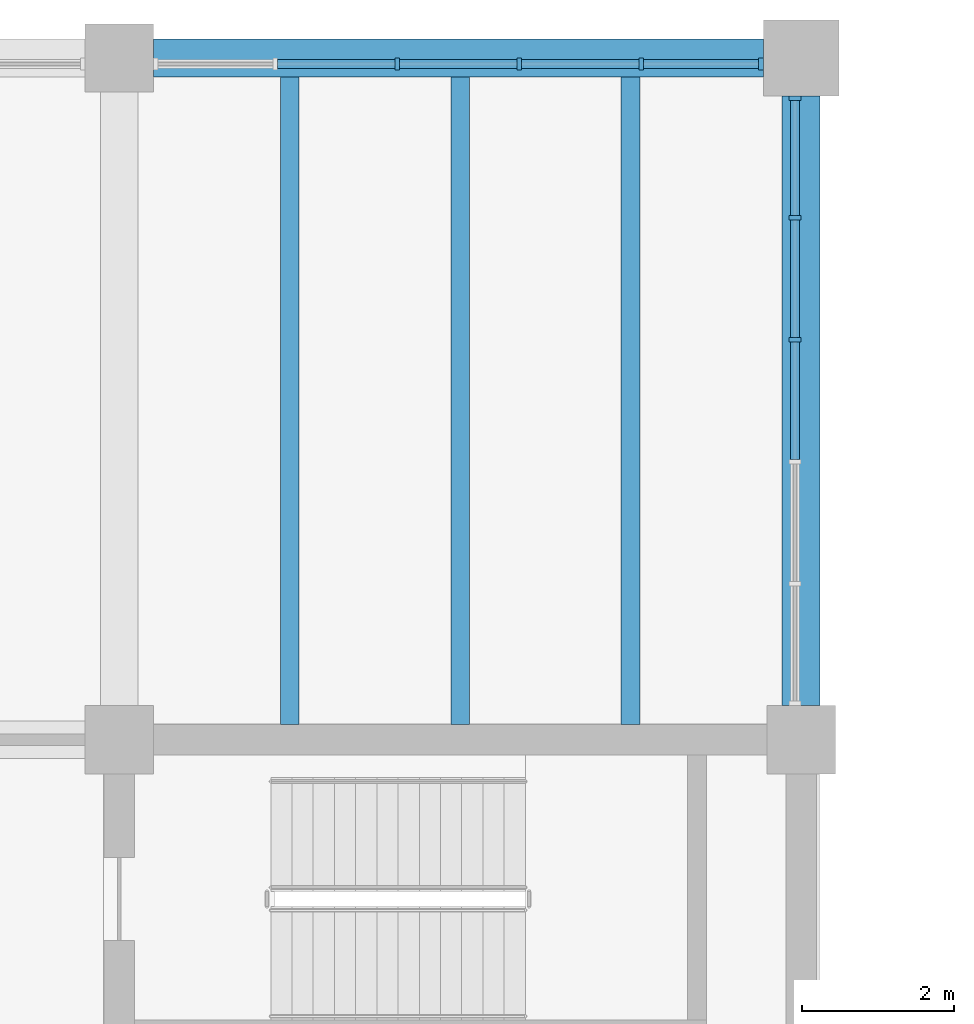
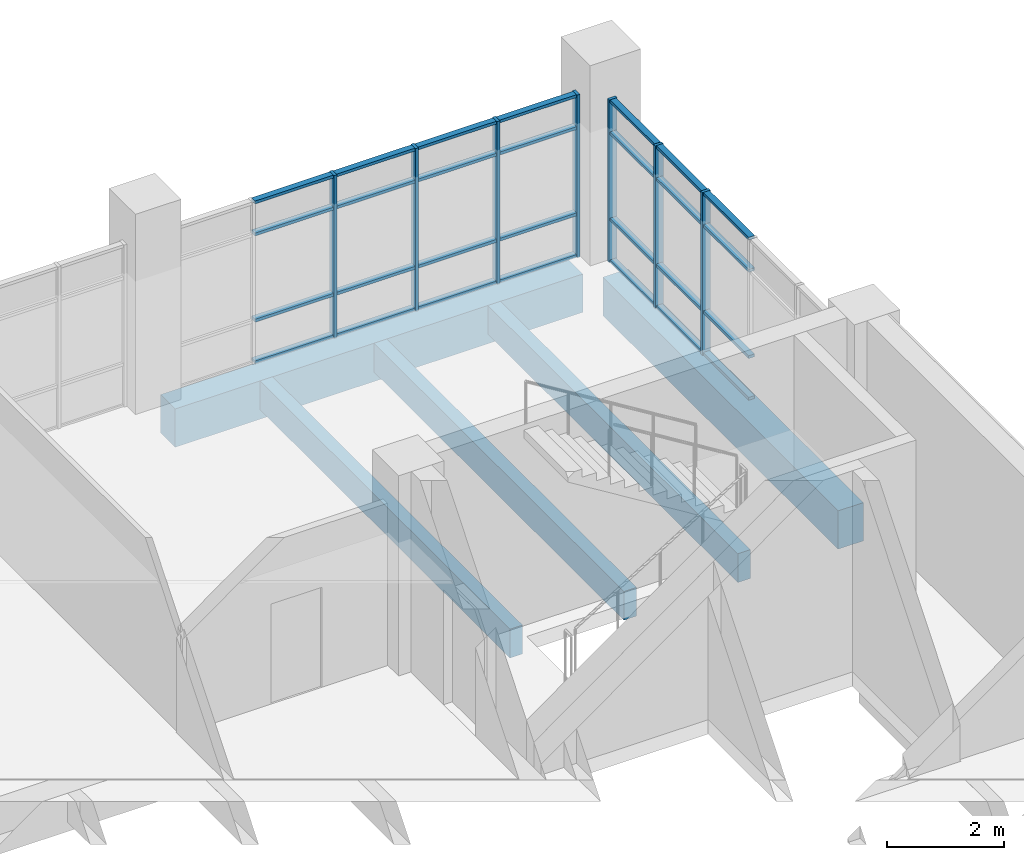
# One storey, part 28 of 74: 35 members, 5 beams, 2 elements without a shape of their own.
"""IFC4 building model written with IfcOpenShell, lengths in metres."""

import ifcopenshell
import ifcopenshell.guid

model = None  # the IFC model being written
_history = None  # IfcOwnerHistory: only IFC2X3 demands one
_inside = {}  # id of a spatial element -> (the spatial element, [elements in it])
_under = {}  # id of a project, library or spatial element -> (it, [spatial elements below it])
_declared = {}  # id of a project -> (the project, [libraries it declares])
_typed = {}  # id of a type object -> (the type object, [elements of that type])
_made_of = {}  # id of a material, layer set ... -> (it, [elements and type objects made of it])


def new_model(schema):
    """Start an empty IFC model of exactly this schema.

    Asked for "IFC4X3", IfcOpenShell would pick the latest addendum, in which some entities
    have other attributes; the version numbers below select the first issue.
    IFC2X3 requires an IfcOwnerHistory on every rooted entity: one is made here for all.
    """
    global model, _history
    if schema == "IFC4X3":
        model = ifcopenshell.file(schema_version=(4, 3, 0, 0))
    else:
        model = ifcopenshell.file(schema=schema)
    _inside.clear()
    _under.clear()
    _declared.clear()
    _typed.clear()
    _made_of.clear()
    _history = None
    if model.schema == "IFC2X3":
        org = make("IfcOrganization", Name="unknown")
        user = make(
            "IfcPersonAndOrganization",
            ThePerson=make("IfcPerson", FamilyName="unknown"),
            TheOrganization=org,
        )
        app = make(
            "IfcApplication",
            ApplicationDeveloper=org,
            Version="unknown",
            ApplicationFullName="unknown",
            ApplicationIdentifier="unknown",
        )
        _history = make(
            "IfcOwnerHistory",
            OwningUser=user,
            OwningApplication=app,
            ChangeAction="ADDED",
            CreationDate=0,
        )
    return model


def make(cls, **values):
    """One entity of the class cls with the attributes given. An attribute that is None is left unset."""
    return model.create_entity(
        cls, **{name: value for name, value in values.items() if value is not None}
    )


def rooted(cls, **values):
    """An entity with a GlobalId (a new one), such as an element, a storey or a relation."""
    return make(cls, GlobalId=ifcopenshell.guid.new(), OwnerHistory=_history, **values)


def si_unit(unit_type, name, prefix=None):
    """IfcSIUnit, for example si_unit("LENGTHUNIT", "METRE", prefix="MILLI")."""
    return make("IfcSIUnit", UnitType=unit_type, Prefix=prefix, Name=name)


def assignment(units):
    """IfcUnitAssignment: the units of a project."""
    return None if units is None else make("IfcUnitAssignment", Units=units)


def point(xyz):
    """IfcCartesianPoint."""
    return None if xyz is None else make("IfcCartesianPoint", Coordinates=xyz)


def direction(xyz):
    """IfcDirection."""
    return None if xyz is None else make("IfcDirection", DirectionRatios=xyz)


def frame(location, z_axis=None, x_axis=None):
    """IfcAxis2Placement3D, a coordinate frame: its origin and axes. An axis left out is left unset."""
    return make(
        "IfcAxis2Placement3D",
        Location=point(location),
        Axis=direction(z_axis),
        RefDirection=direction(x_axis),
    )


def frame_2d(location, x_axis=None):
    """IfcAxis2Placement2D, a coordinate frame in the plane: its origin and x axis."""
    return make(
        "IfcAxis2Placement2D", Location=point(location), RefDirection=direction(x_axis)
    )


def origin():
    """The frame at (0, 0, 0) with its axes left unset."""
    return frame((0.0, 0.0, 0.0))


def origin_2d():
    """The frame at (0, 0) in the plane with its x axis left unset."""
    return frame_2d((0.0, 0.0))


def place(relative_to, where):
    """IfcLocalPlacement: puts the frame where relative to a parent placement (None: the world)."""
    return make(
        "IfcLocalPlacement", PlacementRelTo=relative_to, RelativePlacement=where
    )


def context(
    kind, dimensions, precision=None, world=None, true_north=None, identifier=None
):
    """IfcGeometricRepresentationContext, for example the 3D "Model" context."""
    return make(
        "IfcGeometricRepresentationContext",
        ContextIdentifier=identifier,
        ContextType=kind,
        CoordinateSpaceDimension=dimensions,
        Precision=precision,
        WorldCoordinateSystem=world,
        TrueNorth=true_north,
    )


def subcontext(parent, identifier, kind, view, scale=None):
    """IfcGeometricRepresentationSubContext, for example "Body" below "Model"."""
    return make(
        "IfcGeometricRepresentationSubContext",
        ContextIdentifier=identifier,
        ContextType=kind,
        ParentContext=parent,
        TargetScale=scale,
        TargetView=view,
    )


def project(units=None, contexts=None):
    """IfcProject with its units and contexts."""
    return rooted(
        "IfcProject",
        Name="project",
        RepresentationContexts=contexts,
        UnitsInContext=assignment(units),
    )


def spatial(cls, under=None, at=None, **own):
    """A site, building, storey or space (cls), placed at a placement, below another one or the project."""
    s = rooted(cls, ObjectPlacement=at, **own)
    if under is not None:
        _under.setdefault(under.id(), (under, []))[1].append(s)
    return s


def profile(cls, at=None, kind="AREA", **sizes):
    """A parametric profile (cls). Its sizes go by their IFC names, for example OverallWidth=200.0."""
    return make(cls, ProfileType=kind, Position=at, **sizes)


def rectangle(**sizes):
    """IfcRectangleProfileDef."""
    return profile("IfcRectangleProfileDef", **sizes)


def extrude(swept, where, along, depth):
    """IfcExtrudedAreaSolid: the profile swept, set in the frame where, extruded along a direction by depth."""
    return make(
        "IfcExtrudedAreaSolid",
        SweptArea=swept,
        Position=where,
        ExtrudedDirection=direction(along),
        Depth=depth,
    )


def shape(context_of_items, identifier, shape_type, items):
    """IfcShapeRepresentation: the items that make up one representation, for example the "Body"."""
    return make(
        "IfcShapeRepresentation",
        ContextOfItems=context_of_items,
        RepresentationIdentifier=identifier,
        RepresentationType=shape_type,
        Items=items,
    )


def material(Name=None, Category=None):
    """IfcMaterial."""
    return make("IfcMaterial", Name=Name, Category=Category)


def material_profile(
    of_material, cross_section, Name=None, Category=None, Priority=None
):
    """IfcMaterialProfile: a cross section and its material."""
    return make(
        "IfcMaterialProfile",
        Name=Name,
        Material=of_material,
        Profile=cross_section,
        Priority=Priority,
        Category=Category,
    )


def profile_set(profiles, Name=None, composite=None):
    """IfcMaterialProfileSet."""
    return make(
        "IfcMaterialProfileSet",
        Name=Name,
        MaterialProfiles=profiles,
        CompositeProfile=composite,
    )


def made_of(thing, what):
    """Note that an element or type object is made of a material, layer set ...; save() writes the relation."""
    if what is not None:
        _made_of.setdefault(what.id(), (what, []))[1].append(thing)
    return thing


def type_object(cls, material=None, **own):
    """A type object (cls), such as IfcWallType, which elements share."""
    return made_of(rooted(cls, **own), material)


def element(
    cls,
    number,
    at=None,
    inside=None,
    cuts=None,
    type_object=None,
    material=None,
    context=None,
    identifier="Body",
    shape_type=None,
    held_by="IfcProductDefinitionShape",
    body=None,
    shapes=None,
    **own,
):
    """One element of the class cls, such as IfcWall. Its Tag is "e" and its number.

    at: its placement. inside: the storey or other place that contains it. cuts: it is an
    opening in that element (IfcRelVoidsElement). A single representation is given by context,
    identifier, shape_type and body (its items); several are given by shapes. held_by: the class
    of the entity that holds the representations. save() writes the other relations.
    """
    e = rooted(cls, Tag="e%d" % number, ObjectPlacement=at, **own)
    if body is not None:
        shapes = [shape(context, identifier, shape_type, body)]
    if shapes is not None:
        e.Representation = make(held_by, Representations=shapes)
    if inside is not None:
        _inside.setdefault(inside.id(), (inside, []))[1].append(e)
    if cuts is not None:
        rooted(
            "IfcRelVoidsElement", RelatingBuildingElement=cuts, RelatedOpeningElement=e
        )
    if type_object is not None:
        _typed.setdefault(type_object.id(), (type_object, []))[1].append(e)
    return made_of(e, material)


def aggregate(whole, parts):
    """IfcRelAggregates: a whole, such as a stair, and the parts it consists of."""
    return rooted("IfcRelAggregates", RelatingObject=whole, RelatedObjects=parts)


def save(model, path):
    """Write the relations noted so far, then the file.

    IfcRelAggregates (storeys below a building ...), IfcRelContainedInSpatialStructure (elements
    in a storey), IfcRelDefinesByType, IfcRelAssociatesMaterial and IfcRelDeclares: one each for
    every whole, place, type object, material and project.
    """
    for whole, parts in _under.values():
        aggregate(whole, parts)
    for where, things in _inside.values():
        rooted(
            "IfcRelContainedInSpatialStructure",
            RelatedElements=things,
            RelatingStructure=where,
        )
    for kind, things in _typed.values():
        rooted("IfcRelDefinesByType", RelatedObjects=things, RelatingType=kind)
    for what, things in _made_of.values():
        rooted("IfcRelAssociatesMaterial", RelatedObjects=things, RelatingMaterial=what)
    for by, libraries in _declared.values():
        rooted("IfcRelDeclares", RelatingContext=by, RelatedDefinitions=libraries)
    model.write(path)


model = new_model("IFC4")

# Units and contexts
model_context = context("Model", 3, precision=1e-05, world=origin(), true_north=direction((0.0, 1.0)))
body_context = subcontext(model_context, "Body", "Model", "MODEL_VIEW")
ifc_project = project(units=[si_unit("LENGTHUNIT", "METRE"), si_unit("AREAUNIT", "SQUARE_METRE"), si_unit("VOLUMEUNIT", "CUBIC_METRE"), si_unit("PLANEANGLEUNIT", "RADIAN"), si_unit("MASSUNIT", "GRAM", prefix="KILO")], contexts=[model_context])

# Site, building, storey
site_placement = place(None, origin())
site = spatial("IfcSite", under=ifc_project, at=site_placement, CompositionType="ELEMENT")
building_placement = place(site_placement, origin())
building = spatial("IfcBuilding", under=site, at=building_placement, Name="Merrow Basin Faculty of Sciences", CompositionType="ELEMENT")
storey_placement = place(building_placement, frame((0.0, 0.0, 13.5)))
storey = spatial("IfcBuildingStorey", under=building, at=storey_placement, Name="L03", CompositionType="ELEMENT", Elevation=13.5)

# Curtain wall, members
ifc_material_1 = material(Name="Aluminium alloy 6063", Category="aluminium")
curtain_wall_type = type_object("IfcCurtainWallType", Name="Unitised curtain wall 160", PredefinedType="NOTDEFINED", material=ifc_material_1)
curtain_wall_1_placement = place(storey_placement, origin())
curtain_wall_1 = element("IfcCurtainWall", 1, at=curtain_wall_1_placement, inside=storey, type_object=curtain_wall_type, Name="N curtain wall L03 7", PredefinedType="NOTDEFINED")
ifc_material_2 = material(Name="Aluminium alloy 6063", Category="aluminium")
ifc_material_profile_1 = material_profile(ifc_material_2, rectangle(XDim=0.159912109375, YDim=0.06005859375, at=origin_2d()))
ifc_profile_set_1 = profile_set([ifc_material_profile_1], Name="Aluminium alloy 6063")
member_type_1 = type_object("IfcMemberType", Name="Aluminium mullion 60x160", PredefinedType="MULLION", material=ifc_profile_set_1)
member_1_placement = place(storey_placement, frame((48.669921875, 168.919921875, 0.0), z_axis=(0.0, 0.0, 1.0), x_axis=(0.0, 1.0, 0.0)))
member_1 = element("IfcMember", 2, at=member_1_placement, type_object=member_type_1, Name="CW3 mullion 3", PredefinedType="MULLION", context=body_context, shape_type="SweptSolid", body=[
    extrude(rectangle(XDim=0.159912109375, YDim=0.06005859375, at=origin_2d()), origin(), (0.0, 0.0, 1.0), 3.39990234375),
])
member_2_placement = place(storey_placement, frame((50.280029296875, 168.919921875, 0.0), z_axis=(0.0, 0.0, 1.0), x_axis=(0.0, 1.0, 0.0)))
member_2 = element("IfcMember", 3, at=member_2_placement, type_object=member_type_1, Name="CW3 mullion 4", PredefinedType="MULLION", context=body_context, shape_type="SweptSolid", body=[
    extrude(rectangle(XDim=0.159912109375, YDim=0.06005859375, at=origin_2d()), origin(), (0.0, 0.0, 1.0), 3.39990234375),
])
member_3_placement = place(storey_placement, frame((51.889892578125, 168.919921875, 0.0), z_axis=(0.0, 0.0, 1.0), x_axis=(0.0, 1.0, 0.0)))
member_3 = element("IfcMember", 4, at=member_3_placement, type_object=member_type_1, Name="CW3 mullion 5", PredefinedType="MULLION", context=body_context, shape_type="SweptSolid", body=[
    extrude(rectangle(XDim=0.159912109375, YDim=0.06005859375, at=origin_2d()), origin(), (0.0, 0.0, 1.0), 3.39990234375),
])
member_4_placement = place(storey_placement, frame((53.469970703125, 168.919921875, 0.0), z_axis=(0.0, 0.0, 1.0), x_axis=(0.0, 1.0, 0.0)))
member_4 = element("IfcMember", 5, at=member_4_placement, type_object=member_type_1, Name="CW3 mullion 6", PredefinedType="MULLION", context=body_context, shape_type="SweptSolid", body=[
    extrude(rectangle(XDim=0.159912109375, YDim=0.06005859375, at=origin_2d()), origin(), (0.0, 0.0, 1.0), 3.39990234375),
])

curtain_wall_2_placement = place(storey_placement, origin())
curtain_wall_2 = element("IfcCurtainWall", 6, at=curtain_wall_2_placement, inside=storey, type_object=curtain_wall_type, Name="E curtain wall L03 1", PredefinedType="NOTDEFINED")
member_5_placement = place(storey_placement, frame((53.919921875, 165.280029296875, 0.0), z_axis=(0.0, 0.0, 1.0), x_axis=(-1.0, 0.0, 0.0)))
member_5 = element("IfcMember", 7, at=member_5_placement, type_object=member_type_1, Name="CW3 mullion 4", PredefinedType="MULLION", context=body_context, shape_type="SweptSolid", body=[
    extrude(rectangle(XDim=0.159912109375, YDim=0.06005859375, at=origin_2d()), origin(), (0.0, 0.0, 1.0), 3.39990234375),
])
member_6_placement = place(storey_placement, frame((53.919921875, 166.889892578125, 0.0), z_axis=(0.0, 0.0, 1.0), x_axis=(-1.0, 0.0, 0.0)))
member_6 = element("IfcMember", 8, at=member_6_placement, type_object=member_type_1, Name="CW3 mullion 5", PredefinedType="MULLION", context=body_context, shape_type="SweptSolid", body=[
    extrude(rectangle(XDim=0.159912109375, YDim=0.06005859375, at=origin_2d()), origin(), (0.0, 0.0, 1.0), 3.39990234375),
])
member_7_placement = place(storey_placement, frame((53.919921875, 168.469970703125, 0.0), z_axis=(0.0, 0.0, 1.0), x_axis=(-1.0, 0.0, 0.0)))
member_7 = element("IfcMember", 9, at=member_7_placement, type_object=member_type_1, Name="CW3 mullion 6", PredefinedType="MULLION", context=body_context, shape_type="SweptSolid", body=[
    extrude(rectangle(XDim=0.159912109375, YDim=0.06005859375, at=origin_2d()), origin(), (0.0, 0.0, 1.0), 3.39990234375),
])

# Member
ifc_material_3 = material(Name="Aluminium alloy 6063", Category="aluminium")
ifc_material_profile_2 = material_profile(ifc_material_3, rectangle(XDim=0.1201171875, YDim=0.06005859375, at=origin_2d()))
ifc_profile_set_2 = profile_set([ifc_material_profile_2], Name="Aluminium alloy 6063")
member_type_2 = type_object("IfcMemberType", Name="Aluminium transom 60x120", PredefinedType="USERDEFINED", material=ifc_profile_set_2)
member_8_placement = place(storey_placement, frame((47.090087890625, 168.919921875, 0.030029296875), z_axis=(1.0, 0.0, 0.0), x_axis=(0.0, 1.0, 0.0)))
member_8 = element("IfcMember", 10, at=member_8_placement, type_object=member_type_2, Name="CW3 transom 2.1", ObjectType="TRANSOM", PredefinedType="USERDEFINED", context=body_context, shape_type="SweptSolid", body=[
    extrude(rectangle(XDim=0.1201171875, YDim=0.06005859375, at=origin_2d()), origin(), (0.0, 0.0, 1.0), 1.5498046875),
])

member_9_placement = place(storey_placement, frame((47.090087890625, 168.919921875, 0.89990234375), z_axis=(1.0, 0.0, 0.0), x_axis=(0.0, 1.0, 0.0)))
member_9 = element("IfcMember", 11, at=member_9_placement, type_object=member_type_2, Name="CW3 transom 2.2", ObjectType="TRANSOM", PredefinedType="USERDEFINED", context=body_context, shape_type="SweptSolid", body=[
    extrude(rectangle(XDim=0.1201171875, YDim=0.06005859375, at=origin_2d()), origin(), (0.0, 0.0, 1.0), 1.5498046875),
])

member_10_placement = place(storey_placement, frame((47.090087890625, 168.919921875, 2.699951171875), z_axis=(1.0, 0.0, 0.0), x_axis=(0.0, 1.0, 0.0)))
member_10 = element("IfcMember", 12, at=member_10_placement, type_object=member_type_2, Name="CW3 transom 2.3", ObjectType="TRANSOM", PredefinedType="USERDEFINED", context=body_context, shape_type="SweptSolid", body=[
    extrude(rectangle(XDim=0.1201171875, YDim=0.06005859375, at=origin_2d()), origin(), (0.0, 0.0, 1.0), 1.5498046875),
])

member_11_placement = place(storey_placement, frame((47.090087890625, 168.919921875, 3.3701171875), z_axis=(1.0, 0.0, 0.0), x_axis=(0.0, 1.0, 0.0)))
member_11 = element("IfcMember", 13, at=member_11_placement, type_object=member_type_2, Name="CW3 transom 2.4", ObjectType="TRANSOM", PredefinedType="USERDEFINED", context=body_context, shape_type="SweptSolid", body=[
    extrude(rectangle(XDim=0.1201171875, YDim=0.06005859375, at=origin_2d()), origin(), (0.0, 0.0, 1.0), 1.5498046875),
])

member_12_placement = place(storey_placement, frame((48.699951171875, 168.919921875, 0.030029296875), z_axis=(1.0, 0.0, 0.0), x_axis=(0.0, 1.0, 0.0)))
member_12 = element("IfcMember", 14, at=member_12_placement, type_object=member_type_2, Name="CW3 transom 3.1", ObjectType="TRANSOM", PredefinedType="USERDEFINED", context=body_context, shape_type="SweptSolid", body=[
    extrude(rectangle(XDim=0.1201171875, YDim=0.06005859375, at=origin_2d()), origin(), (0.0, 0.0, 1.0), 1.550048828125),
])

member_13_placement = place(storey_placement, frame((48.699951171875, 168.919921875, 0.89990234375), z_axis=(1.0, 0.0, 0.0), x_axis=(0.0, 1.0, 0.0)))
member_13 = element("IfcMember", 15, at=member_13_placement, type_object=member_type_2, Name="CW3 transom 3.2", ObjectType="TRANSOM", PredefinedType="USERDEFINED", context=body_context, shape_type="SweptSolid", body=[
    extrude(rectangle(XDim=0.1201171875, YDim=0.06005859375, at=origin_2d()), origin(), (0.0, 0.0, 1.0), 1.550048828125),
])

member_14_placement = place(storey_placement, frame((48.699951171875, 168.919921875, 2.699951171875), z_axis=(1.0, 0.0, 0.0), x_axis=(0.0, 1.0, 0.0)))
member_14 = element("IfcMember", 16, at=member_14_placement, type_object=member_type_2, Name="CW3 transom 3.3", ObjectType="TRANSOM", PredefinedType="USERDEFINED", context=body_context, shape_type="SweptSolid", body=[
    extrude(rectangle(XDim=0.1201171875, YDim=0.06005859375, at=origin_2d()), origin(), (0.0, 0.0, 1.0), 1.550048828125),
])

member_15_placement = place(storey_placement, frame((48.699951171875, 168.919921875, 3.3701171875), z_axis=(1.0, 0.0, 0.0), x_axis=(0.0, 1.0, 0.0)))
member_15 = element("IfcMember", 17, at=member_15_placement, type_object=member_type_2, Name="CW3 transom 3.4", ObjectType="TRANSOM", PredefinedType="USERDEFINED", context=body_context, shape_type="SweptSolid", body=[
    extrude(rectangle(XDim=0.1201171875, YDim=0.06005859375, at=origin_2d()), origin(), (0.0, 0.0, 1.0), 1.550048828125),
])

member_16_placement = place(storey_placement, frame((50.31005859375, 168.919921875, 0.030029296875), z_axis=(1.0, 0.0, 0.0), x_axis=(0.0, 1.0, 0.0)))
member_16 = element("IfcMember", 18, at=member_16_placement, type_object=member_type_2, Name="CW3 transom 4.1", ObjectType="TRANSOM", PredefinedType="USERDEFINED", context=body_context, shape_type="SweptSolid", body=[
    extrude(rectangle(XDim=0.1201171875, YDim=0.06005859375, at=origin_2d()), origin(), (0.0, 0.0, 1.0), 1.550048828125),
])

member_17_placement = place(storey_placement, frame((50.31005859375, 168.919921875, 0.89990234375), z_axis=(1.0, 0.0, 0.0), x_axis=(0.0, 1.0, 0.0)))
member_17 = element("IfcMember", 19, at=member_17_placement, type_object=member_type_2, Name="CW3 transom 4.2", ObjectType="TRANSOM", PredefinedType="USERDEFINED", context=body_context, shape_type="SweptSolid", body=[
    extrude(rectangle(XDim=0.1201171875, YDim=0.06005859375, at=origin_2d()), origin(), (0.0, 0.0, 1.0), 1.550048828125),
])

member_18_placement = place(storey_placement, frame((50.31005859375, 168.919921875, 2.699951171875), z_axis=(1.0, 0.0, 0.0), x_axis=(0.0, 1.0, 0.0)))
member_18 = element("IfcMember", 20, at=member_18_placement, type_object=member_type_2, Name="CW3 transom 4.3", ObjectType="TRANSOM", PredefinedType="USERDEFINED", context=body_context, shape_type="SweptSolid", body=[
    extrude(rectangle(XDim=0.1201171875, YDim=0.06005859375, at=origin_2d()), origin(), (0.0, 0.0, 1.0), 1.550048828125),
])

member_19_placement = place(storey_placement, frame((50.31005859375, 168.919921875, 3.3701171875), z_axis=(1.0, 0.0, 0.0), x_axis=(0.0, 1.0, 0.0)))
member_19 = element("IfcMember", 21, at=member_19_placement, type_object=member_type_2, Name="CW3 transom 4.4", ObjectType="TRANSOM", PredefinedType="USERDEFINED", context=body_context, shape_type="SweptSolid", body=[
    extrude(rectangle(XDim=0.1201171875, YDim=0.06005859375, at=origin_2d()), origin(), (0.0, 0.0, 1.0), 1.550048828125),
])

member_20_placement = place(storey_placement, frame((51.919921875, 168.919921875, 0.030029296875), z_axis=(1.0, 0.0, 0.0), x_axis=(0.0, 1.0, 0.0)))
member_20 = element("IfcMember", 22, at=member_20_placement, type_object=member_type_2, Name="CW3 transom 5.1", ObjectType="TRANSOM", PredefinedType="USERDEFINED", context=body_context, shape_type="SweptSolid", body=[
    extrude(rectangle(XDim=0.1201171875, YDim=0.06005859375, at=origin_2d()), origin(), (0.0, 0.0, 1.0), 1.52001953125),
])

member_21_placement = place(storey_placement, frame((51.919921875, 168.919921875, 0.89990234375), z_axis=(1.0, 0.0, 0.0), x_axis=(0.0, 1.0, 0.0)))
member_21 = element("IfcMember", 23, at=member_21_placement, type_object=member_type_2, Name="CW3 transom 5.2", ObjectType="TRANSOM", PredefinedType="USERDEFINED", context=body_context, shape_type="SweptSolid", body=[
    extrude(rectangle(XDim=0.1201171875, YDim=0.06005859375, at=origin_2d()), origin(), (0.0, 0.0, 1.0), 1.52001953125),
])

member_22_placement = place(storey_placement, frame((51.919921875, 168.919921875, 2.699951171875), z_axis=(1.0, 0.0, 0.0), x_axis=(0.0, 1.0, 0.0)))
member_22 = element("IfcMember", 24, at=member_22_placement, type_object=member_type_2, Name="CW3 transom 5.3", ObjectType="TRANSOM", PredefinedType="USERDEFINED", context=body_context, shape_type="SweptSolid", body=[
    extrude(rectangle(XDim=0.1201171875, YDim=0.06005859375, at=origin_2d()), origin(), (0.0, 0.0, 1.0), 1.52001953125),
])

member_23_placement = place(storey_placement, frame((51.919921875, 168.919921875, 3.3701171875), z_axis=(1.0, 0.0, 0.0), x_axis=(0.0, 1.0, 0.0)))
member_23 = element("IfcMember", 25, at=member_23_placement, type_object=member_type_2, Name="CW3 transom 5.4", ObjectType="TRANSOM", PredefinedType="USERDEFINED", context=body_context, shape_type="SweptSolid", body=[
    extrude(rectangle(XDim=0.1201171875, YDim=0.06005859375, at=origin_2d()), origin(), (0.0, 0.0, 1.0), 1.52001953125),
])

aggregate(curtain_wall_1, [member_1, member_2, member_3, member_4, member_8, member_9, member_10, member_11, member_12, member_13, member_14, member_15, member_16, member_17, member_18, member_19, member_20, member_21, member_22, member_23])

member_24_placement = place(storey_placement, frame((53.919921875, 163.699951171875, 0.030029296875), z_axis=(0.0, 1.0, 0.0), x_axis=(-1.0, 0.0, 0.0)))
member_24 = element("IfcMember", 26, at=member_24_placement, type_object=member_type_2, Name="CW3 transom 3.1", ObjectType="TRANSOM", PredefinedType="USERDEFINED", context=body_context, shape_type="SweptSolid", body=[
    extrude(rectangle(XDim=0.1201171875, YDim=0.06005859375, at=origin_2d()), origin(), (0.0, 0.0, 1.0), 1.550048828125),
])

member_25_placement = place(storey_placement, frame((53.919921875, 163.699951171875, 0.89990234375), z_axis=(0.0, 1.0, 0.0), x_axis=(-1.0, 0.0, 0.0)))
member_25 = element("IfcMember", 27, at=member_25_placement, type_object=member_type_2, Name="CW3 transom 3.2", ObjectType="TRANSOM", PredefinedType="USERDEFINED", context=body_context, shape_type="SweptSolid", body=[
    extrude(rectangle(XDim=0.1201171875, YDim=0.06005859375, at=origin_2d()), origin(), (0.0, 0.0, 1.0), 1.550048828125),
])

member_26_placement = place(storey_placement, frame((53.919921875, 163.699951171875, 2.699951171875), z_axis=(0.0, 1.0, 0.0), x_axis=(-1.0, 0.0, 0.0)))
member_26 = element("IfcMember", 28, at=member_26_placement, type_object=member_type_2, Name="CW3 transom 3.3", ObjectType="TRANSOM", PredefinedType="USERDEFINED", context=body_context, shape_type="SweptSolid", body=[
    extrude(rectangle(XDim=0.1201171875, YDim=0.06005859375, at=origin_2d()), origin(), (0.0, 0.0, 1.0), 1.550048828125),
])

member_27_placement = place(storey_placement, frame((53.919921875, 163.699951171875, 3.3701171875), z_axis=(0.0, 1.0, 0.0), x_axis=(-1.0, 0.0, 0.0)))
member_27 = element("IfcMember", 29, at=member_27_placement, type_object=member_type_2, Name="CW3 transom 3.4", ObjectType="TRANSOM", PredefinedType="USERDEFINED", context=body_context, shape_type="SweptSolid", body=[
    extrude(rectangle(XDim=0.1201171875, YDim=0.06005859375, at=origin_2d()), origin(), (0.0, 0.0, 1.0), 1.550048828125),
])

member_28_placement = place(storey_placement, frame((53.919921875, 165.31005859375, 0.030029296875), z_axis=(0.0, 1.0, 0.0), x_axis=(-1.0, 0.0, 0.0)))
member_28 = element("IfcMember", 30, at=member_28_placement, type_object=member_type_2, Name="CW3 transom 4.1", ObjectType="TRANSOM", PredefinedType="USERDEFINED", context=body_context, shape_type="SweptSolid", body=[
    extrude(rectangle(XDim=0.1201171875, YDim=0.06005859375, at=origin_2d()), origin(), (0.0, 0.0, 1.0), 1.550048828125),
])

member_29_placement = place(storey_placement, frame((53.919921875, 165.31005859375, 0.89990234375), z_axis=(0.0, 1.0, 0.0), x_axis=(-1.0, 0.0, 0.0)))
member_29 = element("IfcMember", 31, at=member_29_placement, type_object=member_type_2, Name="CW3 transom 4.2", ObjectType="TRANSOM", PredefinedType="USERDEFINED", context=body_context, shape_type="SweptSolid", body=[
    extrude(rectangle(XDim=0.1201171875, YDim=0.06005859375, at=origin_2d()), origin(), (0.0, 0.0, 1.0), 1.550048828125),
])

member_30_placement = place(storey_placement, frame((53.919921875, 165.31005859375, 2.699951171875), z_axis=(0.0, 1.0, 0.0), x_axis=(-1.0, 0.0, 0.0)))
member_30 = element("IfcMember", 32, at=member_30_placement, type_object=member_type_2, Name="CW3 transom 4.3", ObjectType="TRANSOM", PredefinedType="USERDEFINED", context=body_context, shape_type="SweptSolid", body=[
    extrude(rectangle(XDim=0.1201171875, YDim=0.06005859375, at=origin_2d()), origin(), (0.0, 0.0, 1.0), 1.550048828125),
])

member_31_placement = place(storey_placement, frame((53.919921875, 165.31005859375, 3.3701171875), z_axis=(0.0, 1.0, 0.0), x_axis=(-1.0, 0.0, 0.0)))
member_31 = element("IfcMember", 33, at=member_31_placement, type_object=member_type_2, Name="CW3 transom 4.4", ObjectType="TRANSOM", PredefinedType="USERDEFINED", context=body_context, shape_type="SweptSolid", body=[
    extrude(rectangle(XDim=0.1201171875, YDim=0.06005859375, at=origin_2d()), origin(), (0.0, 0.0, 1.0), 1.550048828125),
])

member_32_placement = place(storey_placement, frame((53.919921875, 166.919921875, 0.030029296875), z_axis=(0.0, 1.0, 0.0), x_axis=(-1.0, 0.0, 0.0)))
member_32 = element("IfcMember", 34, at=member_32_placement, type_object=member_type_2, Name="CW3 transom 5.1", ObjectType="TRANSOM", PredefinedType="USERDEFINED", context=body_context, shape_type="SweptSolid", body=[
    extrude(rectangle(XDim=0.1201171875, YDim=0.06005859375, at=origin_2d()), origin(), (0.0, 0.0, 1.0), 1.52001953125),
])

member_33_placement = place(storey_placement, frame((53.919921875, 166.919921875, 0.89990234375), z_axis=(0.0, 1.0, 0.0), x_axis=(-1.0, 0.0, 0.0)))
member_33 = element("IfcMember", 35, at=member_33_placement, type_object=member_type_2, Name="CW3 transom 5.2", ObjectType="TRANSOM", PredefinedType="USERDEFINED", context=body_context, shape_type="SweptSolid", body=[
    extrude(rectangle(XDim=0.1201171875, YDim=0.06005859375, at=origin_2d()), origin(), (0.0, 0.0, 1.0), 1.52001953125),
])

member_34_placement = place(storey_placement, frame((53.919921875, 166.919921875, 2.699951171875), z_axis=(0.0, 1.0, 0.0), x_axis=(-1.0, 0.0, 0.0)))
member_34 = element("IfcMember", 36, at=member_34_placement, type_object=member_type_2, Name="CW3 transom 5.3", ObjectType="TRANSOM", PredefinedType="USERDEFINED", context=body_context, shape_type="SweptSolid", body=[
    extrude(rectangle(XDim=0.1201171875, YDim=0.06005859375, at=origin_2d()), origin(), (0.0, 0.0, 1.0), 1.52001953125),
])

member_35_placement = place(storey_placement, frame((53.919921875, 166.919921875, 3.3701171875), z_axis=(0.0, 1.0, 0.0), x_axis=(-1.0, 0.0, 0.0)))
member_35 = element("IfcMember", 37, at=member_35_placement, type_object=member_type_2, Name="CW3 transom 5.4", ObjectType="TRANSOM", PredefinedType="USERDEFINED", context=body_context, shape_type="SweptSolid", body=[
    extrude(rectangle(XDim=0.1201171875, YDim=0.06005859375, at=origin_2d()), origin(), (0.0, 0.0, 1.0), 1.52001953125),
])

aggregate(curtain_wall_2, [member_5, member_6, member_7, member_24, member_25, member_26, member_27, member_28, member_29, member_30, member_31, member_32, member_33, member_34, member_35])

# Beams
ifc_material_4 = material(Name="Concrete C40/50", Category="concrete")
ifc_material_profile_3 = material_profile(ifc_material_4, rectangle(XDim=0.5, YDim=0.800048828125, at=origin_2d()))
ifc_profile_set_3 = profile_set([ifc_material_profile_3], Name="Concrete C40/50")
beam_type_1 = type_object("IfcBeamType", Name="Beam RC500x800 C40/50", PredefinedType="BEAM", material=ifc_profile_set_3)
for number, where, z_axis, x_axis, name in (
    (38, (45.449951171875, 169.0, -0.699951171875), (1.0, 0.0, 0.0), (0.0, 1.0, 0.0), "B4 L03 012"),
    (39, (54.0, 160.449951171875, -0.699951171875), (0.0, 1.0, 0.0), (-1.0, 0.0, 0.0), "B4 L03 021"),
):
    element("IfcBeam", number, at=place(storey_placement, frame(where, z_axis=z_axis, x_axis=x_axis)), inside=storey, type_object=beam_type_1, Name=name, PredefinedType="BEAM", context=body_context, shape_type="SweptSolid", body=[
        extrude(rectangle(XDim=0.5, YDim=0.800048828125, at=origin_2d()), origin(), (0.0, 0.0, 1.0), 8.050048828125),
    ])
ifc_material_5 = material(Name="Concrete C40/50", Category="concrete")
ifc_material_profile_4 = material_profile(ifc_material_5, rectangle(XDim=0.25, YDim=0.60009765625, at=origin_2d()))
ifc_profile_set_4 = profile_set([ifc_material_profile_4], Name="Concrete C40/50")
beam_type_2 = type_object("IfcBeamType", Name="Tower floor joist RC250x600 C40/50", PredefinedType="BEAM", material=ifc_profile_set_4)
for number, where, z_axis, x_axis, name in (
    (40, (47.25, 160.199951171875, -0.60009765625), (0.0, 1.0, 0.0), (-1.0, 0.0, 0.0), "JT1 L03 056"),
    (41, (49.5, 160.199951171875, -0.60009765625), (0.0, 1.0, 0.0), (-1.0, 0.0, 0.0), "JT1 L03 057"),
    (42, (51.75, 160.199951171875, -0.60009765625), (0.0, 1.0, 0.0), (-1.0, 0.0, 0.0), "JT1 L03 058"),
):
    element("IfcBeam", number, at=place(storey_placement, frame(where, z_axis=z_axis, x_axis=x_axis)), inside=storey, type_object=beam_type_2, Name=name, PredefinedType="BEAM", context=body_context, shape_type="SweptSolid", body=[
        extrude(rectangle(XDim=0.25, YDim=0.60009765625, at=origin_2d()), origin(), (0.0, 0.0, 1.0), 8.550048828125),
    ])

save(model, "model.ifc")
